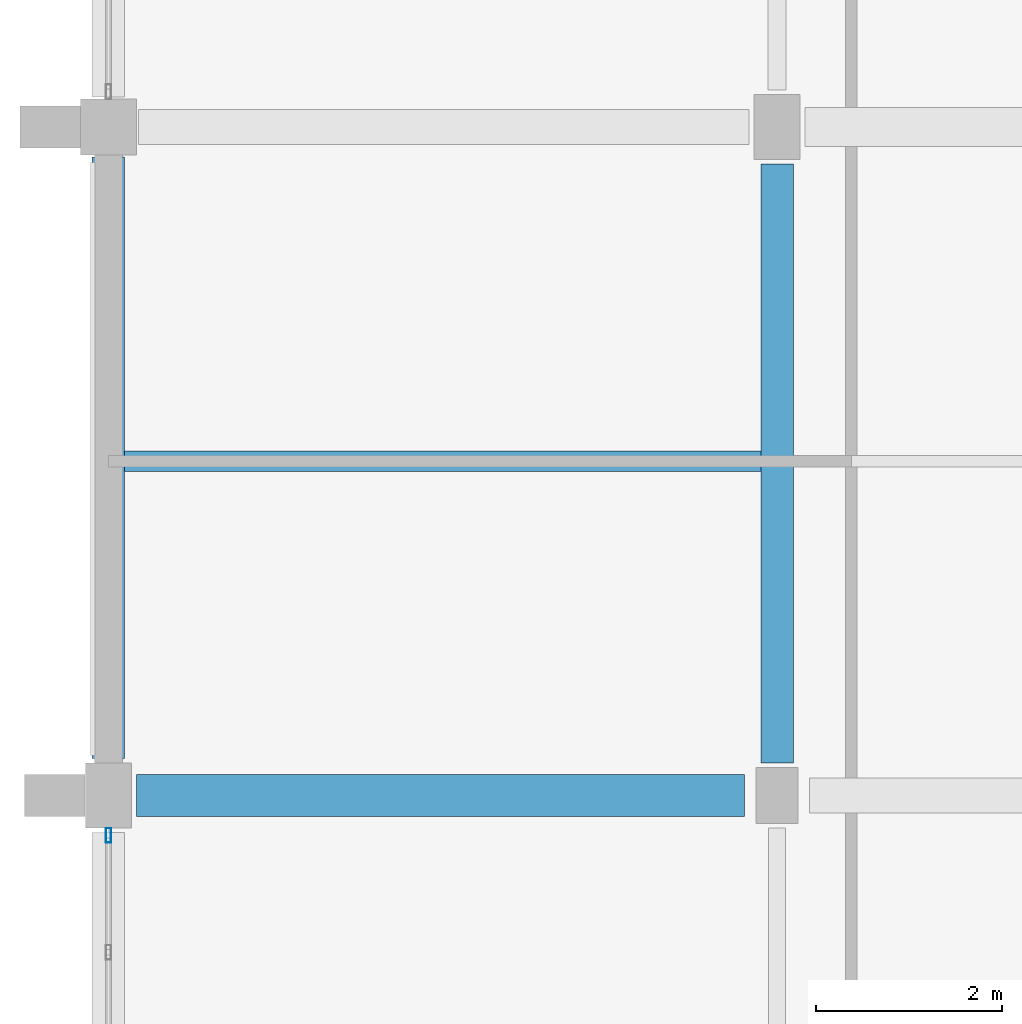
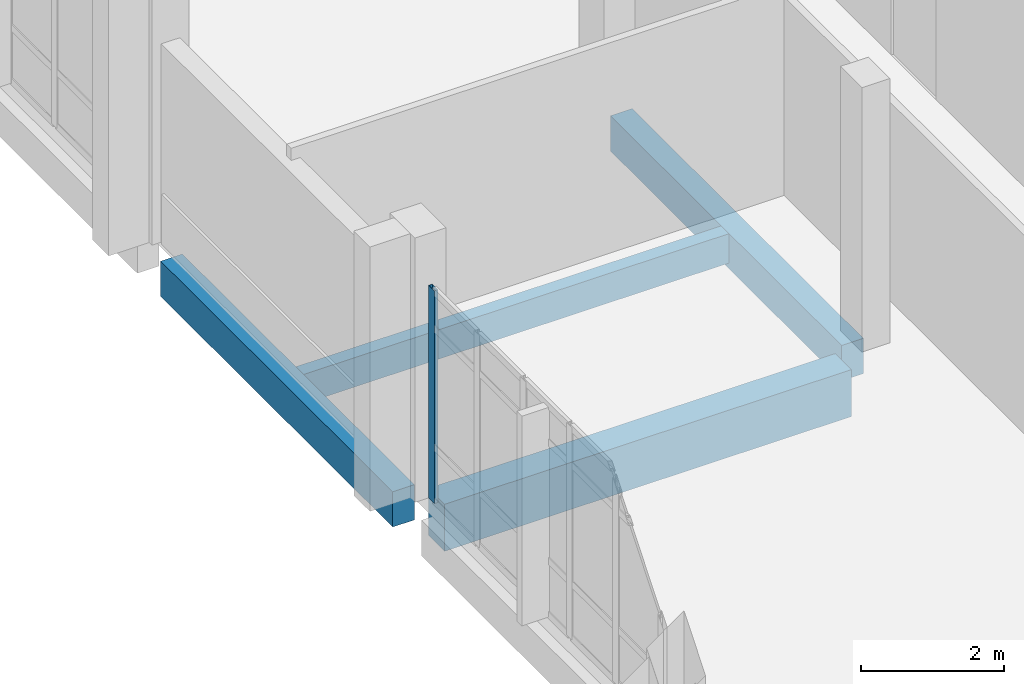
# One storey, part 25 of 87: 4 beams, 1 member, 1 element without a shape of its own.
"""IFC4 building model written with IfcOpenShell, lengths in metres."""

import ifcopenshell
import ifcopenshell.guid

model = None  # the IFC model being written
_history = None  # IfcOwnerHistory: only IFC2X3 demands one
_inside = {}  # id of a spatial element -> (the spatial element, [elements in it])
_under = {}  # id of a project, library or spatial element -> (it, [spatial elements below it])
_declared = {}  # id of a project -> (the project, [libraries it declares])
_typed = {}  # id of a type object -> (the type object, [elements of that type])
_made_of = {}  # id of a material, layer set ... -> (it, [elements and type objects made of it])


def new_model(schema):
    """Start an empty IFC model of exactly this schema.

    Asked for "IFC4X3", IfcOpenShell would pick the latest addendum, in which some entities
    have other attributes; the version numbers below select the first issue.
    IFC2X3 requires an IfcOwnerHistory on every rooted entity: one is made here for all.
    """
    global model, _history
    if schema == "IFC4X3":
        model = ifcopenshell.file(schema_version=(4, 3, 0, 0))
    else:
        model = ifcopenshell.file(schema=schema)
    _inside.clear()
    _under.clear()
    _declared.clear()
    _typed.clear()
    _made_of.clear()
    _history = None
    if model.schema == "IFC2X3":
        org = make("IfcOrganization", Name="unknown")
        user = make(
            "IfcPersonAndOrganization",
            ThePerson=make("IfcPerson", FamilyName="unknown"),
            TheOrganization=org,
        )
        app = make(
            "IfcApplication",
            ApplicationDeveloper=org,
            Version="unknown",
            ApplicationFullName="unknown",
            ApplicationIdentifier="unknown",
        )
        _history = make(
            "IfcOwnerHistory",
            OwningUser=user,
            OwningApplication=app,
            ChangeAction="ADDED",
            CreationDate=0,
        )
    return model


def make(cls, **values):
    """One entity of the class cls with the attributes given. An attribute that is None is left unset."""
    return model.create_entity(
        cls, **{name: value for name, value in values.items() if value is not None}
    )


def rooted(cls, **values):
    """An entity with a GlobalId (a new one), such as an element, a storey or a relation."""
    return make(cls, GlobalId=ifcopenshell.guid.new(), OwnerHistory=_history, **values)


def si_unit(unit_type, name, prefix=None):
    """IfcSIUnit, for example si_unit("LENGTHUNIT", "METRE", prefix="MILLI")."""
    return make("IfcSIUnit", UnitType=unit_type, Prefix=prefix, Name=name)


def assignment(units):
    """IfcUnitAssignment: the units of a project."""
    return None if units is None else make("IfcUnitAssignment", Units=units)


def point(xyz):
    """IfcCartesianPoint."""
    return None if xyz is None else make("IfcCartesianPoint", Coordinates=xyz)


def direction(xyz):
    """IfcDirection."""
    return None if xyz is None else make("IfcDirection", DirectionRatios=xyz)


def frame(location, z_axis=None, x_axis=None):
    """IfcAxis2Placement3D, a coordinate frame: its origin and axes. An axis left out is left unset."""
    return make(
        "IfcAxis2Placement3D",
        Location=point(location),
        Axis=direction(z_axis),
        RefDirection=direction(x_axis),
    )


def frame_2d(location, x_axis=None):
    """IfcAxis2Placement2D, a coordinate frame in the plane: its origin and x axis."""
    return make(
        "IfcAxis2Placement2D", Location=point(location), RefDirection=direction(x_axis)
    )


def origin():
    """The frame at (0, 0, 0) with its axes left unset."""
    return frame((0.0, 0.0, 0.0))


def origin_2d():
    """The frame at (0, 0) in the plane with its x axis left unset."""
    return frame_2d((0.0, 0.0))


def place(relative_to, where):
    """IfcLocalPlacement: puts the frame where relative to a parent placement (None: the world)."""
    return make(
        "IfcLocalPlacement", PlacementRelTo=relative_to, RelativePlacement=where
    )


def context(
    kind, dimensions, precision=None, world=None, true_north=None, identifier=None
):
    """IfcGeometricRepresentationContext, for example the 3D "Model" context."""
    return make(
        "IfcGeometricRepresentationContext",
        ContextIdentifier=identifier,
        ContextType=kind,
        CoordinateSpaceDimension=dimensions,
        Precision=precision,
        WorldCoordinateSystem=world,
        TrueNorth=true_north,
    )


def subcontext(parent, identifier, kind, view, scale=None):
    """IfcGeometricRepresentationSubContext, for example "Body" below "Model"."""
    return make(
        "IfcGeometricRepresentationSubContext",
        ContextIdentifier=identifier,
        ContextType=kind,
        ParentContext=parent,
        TargetScale=scale,
        TargetView=view,
    )


def project(units=None, contexts=None):
    """IfcProject with its units and contexts."""
    return rooted(
        "IfcProject",
        Name="project",
        RepresentationContexts=contexts,
        UnitsInContext=assignment(units),
    )


def spatial(cls, under=None, at=None, **own):
    """A site, building, storey or space (cls), placed at a placement, below another one or the project."""
    s = rooted(cls, ObjectPlacement=at, **own)
    if under is not None:
        _under.setdefault(under.id(), (under, []))[1].append(s)
    return s


def profile(cls, at=None, kind="AREA", **sizes):
    """A parametric profile (cls). Its sizes go by their IFC names, for example OverallWidth=200.0."""
    return make(cls, ProfileType=kind, Position=at, **sizes)


def rectangle(**sizes):
    """IfcRectangleProfileDef."""
    return profile("IfcRectangleProfileDef", **sizes)


def hollow_rectangle(**sizes):
    """IfcRectangleHollowProfileDef."""
    return profile("IfcRectangleHollowProfileDef", **sizes)


def extrude(swept, where, along, depth):
    """IfcExtrudedAreaSolid: the profile swept, set in the frame where, extruded along a direction by depth."""
    return make(
        "IfcExtrudedAreaSolid",
        SweptArea=swept,
        Position=where,
        ExtrudedDirection=direction(along),
        Depth=depth,
    )


def shape(context_of_items, identifier, shape_type, items):
    """IfcShapeRepresentation: the items that make up one representation, for example the "Body"."""
    return make(
        "IfcShapeRepresentation",
        ContextOfItems=context_of_items,
        RepresentationIdentifier=identifier,
        RepresentationType=shape_type,
        Items=items,
    )


def material(Name=None, Category=None):
    """IfcMaterial."""
    return make("IfcMaterial", Name=Name, Category=Category)


def material_profile(
    of_material, cross_section, Name=None, Category=None, Priority=None
):
    """IfcMaterialProfile: a cross section and its material."""
    return make(
        "IfcMaterialProfile",
        Name=Name,
        Material=of_material,
        Profile=cross_section,
        Priority=Priority,
        Category=Category,
    )


def profile_set(profiles, Name=None, composite=None):
    """IfcMaterialProfileSet."""
    return make(
        "IfcMaterialProfileSet",
        Name=Name,
        MaterialProfiles=profiles,
        CompositeProfile=composite,
    )


def made_of(thing, what):
    """Note that an element or type object is made of a material, layer set ...; save() writes the relation."""
    if what is not None:
        _made_of.setdefault(what.id(), (what, []))[1].append(thing)
    return thing


def type_object(cls, material=None, **own):
    """A type object (cls), such as IfcWallType, which elements share."""
    return made_of(rooted(cls, **own), material)


def element(
    cls,
    number,
    at=None,
    inside=None,
    cuts=None,
    type_object=None,
    material=None,
    context=None,
    identifier="Body",
    shape_type=None,
    held_by="IfcProductDefinitionShape",
    body=None,
    shapes=None,
    **own,
):
    """One element of the class cls, such as IfcWall. Its Tag is "e" and its number.

    at: its placement. inside: the storey or other place that contains it. cuts: it is an
    opening in that element (IfcRelVoidsElement). A single representation is given by context,
    identifier, shape_type and body (its items); several are given by shapes. held_by: the class
    of the entity that holds the representations. save() writes the other relations.
    """
    e = rooted(cls, Tag="e%d" % number, ObjectPlacement=at, **own)
    if body is not None:
        shapes = [shape(context, identifier, shape_type, body)]
    if shapes is not None:
        e.Representation = make(held_by, Representations=shapes)
    if inside is not None:
        _inside.setdefault(inside.id(), (inside, []))[1].append(e)
    if cuts is not None:
        rooted(
            "IfcRelVoidsElement", RelatingBuildingElement=cuts, RelatedOpeningElement=e
        )
    if type_object is not None:
        _typed.setdefault(type_object.id(), (type_object, []))[1].append(e)
    return made_of(e, material)


def aggregate(whole, parts):
    """IfcRelAggregates: a whole, such as a stair, and the parts it consists of."""
    return rooted("IfcRelAggregates", RelatingObject=whole, RelatedObjects=parts)


def save(model, path):
    """Write the relations noted so far, then the file.

    IfcRelAggregates (storeys below a building ...), IfcRelContainedInSpatialStructure (elements
    in a storey), IfcRelDefinesByType, IfcRelAssociatesMaterial and IfcRelDeclares: one each for
    every whole, place, type object, material and project.
    """
    for whole, parts in _under.values():
        aggregate(whole, parts)
    for where, things in _inside.values():
        rooted(
            "IfcRelContainedInSpatialStructure",
            RelatedElements=things,
            RelatingStructure=where,
        )
    for kind, things in _typed.values():
        rooted("IfcRelDefinesByType", RelatedObjects=things, RelatingType=kind)
    for what, things in _made_of.values():
        rooted("IfcRelAssociatesMaterial", RelatedObjects=things, RelatingMaterial=what)
    for by, libraries in _declared.values():
        rooted("IfcRelDeclares", RelatingContext=by, RelatedDefinitions=libraries)
    model.write(path)


model = new_model("IFC4")

# Units and contexts
model_context = context("Model", 3, precision=1e-05, world=origin(), true_north=direction((0.0, 1.0)))
body_context = subcontext(model_context, "Body", "Model", "MODEL_VIEW")
ifc_project = project(units=[si_unit("LENGTHUNIT", "METRE"), si_unit("AREAUNIT", "SQUARE_METRE"), si_unit("VOLUMEUNIT", "CUBIC_METRE"), si_unit("PLANEANGLEUNIT", "RADIAN"), si_unit("MASSUNIT", "GRAM", prefix="KILO")], contexts=[model_context])

# Site, building, storey
site_placement = place(None, origin())
site = spatial("IfcSite", under=ifc_project, at=site_placement, CompositionType="ELEMENT")
building_placement = place(site_placement, origin())
building = spatial("IfcBuilding", under=site, at=building_placement, Name="Kalluvel Institute of Natural Sciences", CompositionType="ELEMENT")
storey_placement = place(building_placement, frame((0.0, 0.0, 18.89990234375)))
storey = spatial("IfcBuildingStorey", under=building, at=storey_placement, Name="L04", CompositionType="ELEMENT", Elevation=18.89990234375)

# Beams
ifc_material_1 = material(Name="Concrete M40", Category="concrete")
ifc_material_profile_1 = material_profile(ifc_material_1, rectangle(XDim=0.35009765625, YDim=0.60009765625, at=origin_2d()), Name="RCB 350x600")
ifc_profile_set_1 = profile_set([ifc_material_profile_1], Name="Concrete M40")
beam_type_1 = type_object("IfcBeamType", Name="BM-RC350x600", PredefinedType="BEAM", material=ifc_profile_set_1)
beam_1_placement = place(storey_placement, frame((21.199951171875, 79.14990234375, -0.599853515625), z_axis=(0.0, 1.0, 0.0), x_axis=(-1.0, 0.0, 0.0)))
element("IfcBeam", 1, at=beam_1_placement, inside=storey, type_object=beam_type_1, Name="L04 girder GIR-L04-NS-X212-Y788", PredefinedType="BEAM", context=body_context, shape_type="SweptSolid", body=[
    extrude(rectangle(XDim=0.35009765625, YDim=0.60009765625, at=origin_2d()), origin(), (0.0, 0.0, 1.0), 6.4501953125),
])
ifc_material_profile_2 = material_profile(ifc_material_1, rectangle(XDim=0.449951171875, YDim=0.800048828125, at=origin_2d()), Name="RCB 450x800")
ifc_profile_set_2 = profile_set([ifc_material_profile_2], Name="Concrete M40")
beam_type_2 = type_object("IfcBeamType", Name="BM-RC450x800", PredefinedType="BEAM", material=ifc_profile_set_2)
beam_2_placement = place(storey_placement, frame((14.300048828125, 78.800048828125, -0.699951171875), z_axis=(1.0, 0.0, 0.0), x_axis=(0.0, 1.0, 0.0)))
element("IfcBeam", 2, at=beam_2_placement, inside=storey, type_object=beam_type_2, Name="L04 girder GIR-L04-EW-X140-Y788", PredefinedType="BEAM", context=body_context, shape_type="SweptSolid", body=[
    extrude(rectangle(XDim=0.449951171875, YDim=0.800048828125, at=origin_2d()), origin(), (0.0, 0.0, 1.0), 6.550048828125),
])

# Curtain wall, member
ifc_material_2 = material(Name="Aluminium AW-6063 T6", Category="aluminium")
curtain_wall_type = type_object("IfcCurtainWallType", Name="CW-DRY-45", PredefinedType="USERDEFINED", material=ifc_material_2)
curtain_wall_placement = place(storey_placement, origin())
curtain_wall = element("IfcCurtainWall", 3, at=curtain_wall_placement, inside=storey, type_object=curtain_wall_type, Name="L04 Gothic lancet curtain wall CWA-L04-X140-Y720", ObjectType="UNITISED LANCET FACADE", PredefinedType="USERDEFINED")
ifc_material_profile_3 = material_profile(ifc_material_2, hollow_rectangle(XDim=0.06005859375, YDim=0.159912109375, WallThickness=0.00390625, at=origin_2d()), Name="CWM 60x160")
ifc_profile_set_3 = profile_set([ifc_material_profile_3], Name="Aluminium AW-6063 T6")
member_type = type_object("IfcMemberType", Name="CWM-60x160", PredefinedType="MULLION", material=ifc_profile_set_3)
member_placement = place(storey_placement, frame((14.0, 78.3701171875, 0.0), z_axis=(0.0, 0.0, 1.0), x_axis=(-1.0, 0.0, 0.0)))
member = element("IfcMember", 4, at=member_placement, type_object=member_type, Name="CW-03 mullion 6", PredefinedType="MULLION", context=body_context, shape_type="SweptSolid", body=[
    extrude(hollow_rectangle(XDim=0.06005859375, YDim=0.159912109375, WallThickness=0.00390625, at=origin_2d()), origin(), (0.0, 0.0, 1.0), 3.6201171875),
])
aggregate(curtain_wall, [member])

# Beams
ifc_material_profile_4 = material_profile(ifc_material_1, rectangle(XDim=0.35009765625, YDim=0.60009765625, at=origin_2d()), Name="RCB 350x600")
ifc_profile_set_4 = profile_set([ifc_material_profile_4], Name="Concrete M40")
beam_type_3 = type_object("IfcBeamType", Name="SP-RC350x600", PredefinedType="SPANDREL", material=ifc_profile_set_4)
beam_3_placement = place(storey_placement, frame((14.0, 79.199951171875, -0.599853515625), z_axis=(0.0, 1.0, 0.0), x_axis=(-1.0, 0.0, 0.0)))
element("IfcBeam", 5, at=beam_3_placement, inside=storey, type_object=beam_type_3, Name="L04 girder GIR-L04-NS-X140-Y788", PredefinedType="SPANDREL", context=body_context, shape_type="SweptSolid", body=[
    extrude(rectangle(XDim=0.35009765625, YDim=0.60009765625, at=origin_2d()), origin(), (0.0, 0.0, 1.0), 6.47509765625),
])
ifc_material_profile_5 = material_profile(ifc_material_1, rectangle(XDim=0.219970703125, YDim=0.5, at=origin_2d()), Name="WAF 220x500")
ifc_profile_set_5 = profile_set([ifc_material_profile_5], Name="Concrete M40")
beam_type_4 = type_object("IfcBeamType", Name="WJ-220x500", PredefinedType="JOIST", material=ifc_profile_set_5)
beam_4_placement = place(storey_placement, frame((14.175048828125, 82.39990234375, -0.5498046875), z_axis=(1.0, 0.0, 0.0), x_axis=(0.0, 1.0, 0.0)))
element("IfcBeam", 6, at=beam_4_placement, inside=storey, type_object=beam_type_4, Name="L04 floor rib RIB-L04-0731", PredefinedType="JOIST", context=body_context, shape_type="SweptSolid", body=[
    extrude(rectangle(XDim=0.219970703125, YDim=0.5, at=origin_2d()), origin(), (0.0, 0.0, 1.0), 6.849853515625),
])

save(model, "model.ifc")
